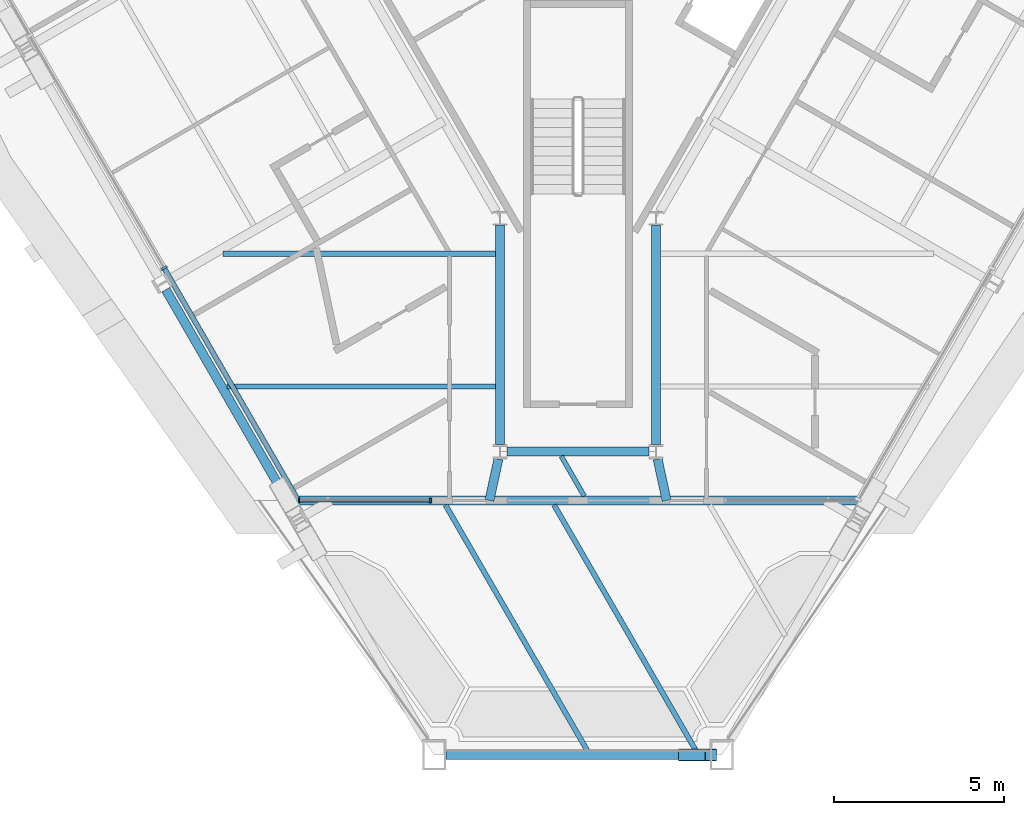
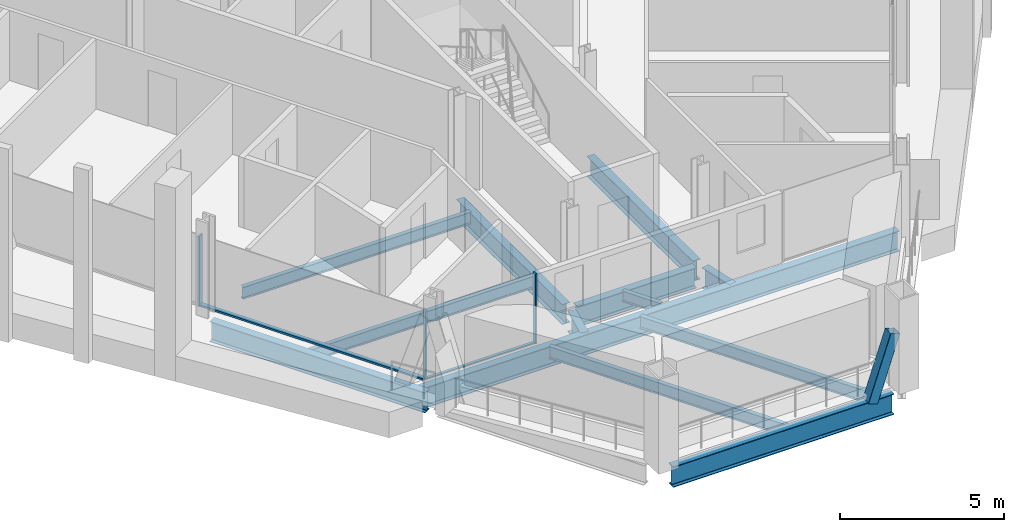
# One storey, part 3 of 16: 13 beams, 6 members, 2 elements without a shape of their own.
"""IFC4 building model written with IfcOpenShell, lengths in metres."""

from ifc_helpers import new_model, si_unit, direction, frame, origin, origin_2d, place, context, subcontext, project, spatial, rectangle, hollow_rectangle, i_section, extrude, material, material_profile, profile_set, type_object, element, aggregate, save


model = new_model("IFC4")

# Units and contexts
model_context = context("Model", 3, precision=1e-05, world=origin(), true_north=direction((0.0, 1.0)))
body_context = subcontext(model_context, "Body", "Model", "MODEL_VIEW")
ifc_project = project(units=[si_unit("LENGTHUNIT", "METRE"), si_unit("AREAUNIT", "SQUARE_METRE"), si_unit("VOLUMEUNIT", "CUBIC_METRE"), si_unit("PLANEANGLEUNIT", "RADIAN"), si_unit("MASSUNIT", "GRAM", prefix="KILO")], contexts=[model_context])

# Site, building, storey
site_placement = place(None, origin())
site = spatial("IfcSite", under=ifc_project, at=site_placement, CompositionType="ELEMENT")
building_placement = place(site_placement, origin())
building = spatial("IfcBuilding", under=site, at=building_placement, Name="Verrane Prism Tower", CompositionType="ELEMENT")
storey_placement = place(building_placement, frame((0.0, 0.0, 114.39990234375)))
storey = spatial("IfcBuildingStorey", under=building, at=storey_placement, Name="L27", CompositionType="ELEMENT", Elevation=114.39990234375)

# Member
ifc_material_1 = material(Name="Steel A500 Grade C", Category="steel")
ifc_material_profile_1 = material_profile(ifc_material_1, hollow_rectangle(XDim=0.355712890625, YDim=0.355712890625, WallThickness=0.0126953125, InnerFilletRadius=0.00634765625, OuterFilletRadius=0.01904296875, at=origin_2d()), Name="HSS14x14x1/2")
ifc_profile_set_1 = profile_set([ifc_material_profile_1], Name="Steel A500 Grade C")
member_type_1 = type_object("IfcMemberType", Name="Chamfer brace HSS14x14x1/2", PredefinedType="BRACE", material=ifc_profile_set_1)
member_1_placement = place(storey_placement, frame((3.12890625, -30.239990234375, -0.2451171875), z_axis=(0.318913640169, 0.0, 0.947783778145), x_axis=(0.0, 1.0, 0.0)))
element("IfcMember", 1, at=member_1_placement, inside=storey, type_object=member_type_1, Name="Chamfer brace S0 L27", PredefinedType="BRACE", context=body_context, shape_type="SweptSolid", body=[
    extrude(hollow_rectangle(XDim=0.355712890625, YDim=0.355712890625, WallThickness=0.0126953125, InnerFilletRadius=0.00634765625, OuterFilletRadius=0.01904296875, at=origin_2d()), origin(), (0.0, 0.0, 1.0), 2.480224609375),
])

# Beams
ifc_material_2 = material(Name="Steel A992", Category="steel")
ifc_material_profile_2 = material_profile(ifc_material_2, i_section(OverallWidth=0.2666015625, OverallDepth=0.76708984375, WebThickness=0.014892578125, FlangeThickness=0.023681640625, FilletRadius=0.0166015625, at=origin_2d()), Name="W30x124")
ifc_profile_set_2 = profile_set([ifc_material_profile_2], Name="Steel A992")
beam_type_1 = type_object("IfcBeamType", Name="Chamfer spandrel beam W30x124", PredefinedType="SPANDREL", material=ifc_profile_set_2)
beam_1_placement = place(storey_placement, frame((-3.889892578125, -30.239990234375, -0.54345703125), z_axis=(1.0, 0.0, 0.0), x_axis=(0.0, 1.0, 0.0)))
element("IfcBeam", 2, at=beam_1_placement, inside=storey, type_object=beam_type_1, Name="Chamfer spandrel beam L27", PredefinedType="SPANDREL", context=body_context, shape_type="SweptSolid", body=[
    extrude(i_section(OverallWidth=0.2666015625, OverallDepth=0.76708984375, WebThickness=0.014892578125, FlangeThickness=0.023681640625, FilletRadius=0.0166015625, at=origin_2d()), origin(), (0.0, 0.0, 1.0), 7.77978515625),
])
ifc_material_3 = material(Name="Steel A992", Category="steel")
ifc_material_profile_3 = material_profile(ifc_material_3, i_section(OverallWidth=0.2666015625, OverallDepth=0.7568359375, WebThickness=0.013916015625, FlangeThickness=0.019287109375, FilletRadius=0.0166015625, at=origin_2d()), Name="W30x108")
ifc_profile_set_3 = profile_set([ifc_material_profile_3], Name="Steel A992")
beam_type_2 = type_object("IfcBeamType", Name="Core ring girder W30x108", PredefinedType="BEAM", material=ifc_profile_set_3)
beam_2_placement = place(storey_placement, frame((-2.300048828125, -14.619384765625, -0.62841796875), z_axis=(0.0, -1.0, 0.0), x_axis=(1.0, 0.0, 0.0)))
element("IfcBeam", 3, at=beam_2_placement, inside=storey, type_object=beam_type_2, Name="Core ring girder L27", PredefinedType="BEAM", context=body_context, shape_type="SweptSolid", body=[
    extrude(i_section(OverallWidth=0.2666015625, OverallDepth=0.7568359375, WebThickness=0.013916015625, FlangeThickness=0.019287109375, FilletRadius=0.0166015625, at=origin_2d()), origin(), (0.0, 0.0, 1.0), 6.46337890625),
])
beam_3_placement = place(storey_placement, frame((-2.09423828125, -21.300048828125, -0.62841796875), z_axis=(1.0, 0.0, 0.0), x_axis=(0.0, 1.0, 0.0)))
element("IfcBeam", 4, at=beam_3_placement, inside=storey, type_object=beam_type_2, Name="Core ring girder L27", PredefinedType="BEAM", context=body_context, shape_type="SweptSolid", body=[
    extrude(i_section(OverallWidth=0.2666015625, OverallDepth=0.7568359375, WebThickness=0.013916015625, FlangeThickness=0.019287109375, FilletRadius=0.0166015625, at=origin_2d()), origin(), (0.0, 0.0, 1.0), 4.1884765625),
])
beam_4_placement = place(storey_placement, frame((2.300048828125, -21.082763671875, -0.62841796875), z_axis=(0.0, 1.0, 0.0), x_axis=(-1.0, 0.0, 0.0)))
element("IfcBeam", 5, at=beam_4_placement, inside=storey, type_object=beam_type_2, Name="Core ring girder L27", PredefinedType="BEAM", context=body_context, shape_type="SweptSolid", body=[
    extrude(i_section(OverallWidth=0.2666015625, OverallDepth=0.7568359375, WebThickness=0.013916015625, FlangeThickness=0.019287109375, FilletRadius=0.0166015625, at=origin_2d()), origin(), (0.0, 0.0, 1.0), 6.46337890625),
])
ifc_material_4 = material(Name="Steel A992", Category="steel")
ifc_material_profile_4 = material_profile(ifc_material_4, i_section(OverallWidth=0.2666015625, OverallDepth=0.76708984375, WebThickness=0.014892578125, FlangeThickness=0.023681640625, FilletRadius=0.0166015625, at=origin_2d()), Name="W30x124")
ifc_profile_set_4 = profile_set([ifc_material_profile_4], Name="Steel A992")
beam_type_3 = type_object("IfcBeamType", Name="Corner girder W30x124", PredefinedType="BEAM", material=ifc_profile_set_4)
for number, where, z_axis, x_axis, name in (
    (6, (-2.612060546875, -22.73779296875, -0.603515625), (0.212064481621, 0.977255675673, 0.0), (-0.977255675673, 0.212064481621, 0.0), "Corner girder L27"),
    (7, (2.612060546875, -22.73779296875, -0.603515625), (-0.212064481621, 0.977255675673, 0.0), (-0.977255675673, -0.212064481621, 0.0), "Corner girder L27"),
):
    element("IfcBeam", number, at=place(storey_placement, frame(where, z_axis=z_axis, x_axis=x_axis)), inside=storey, type_object=beam_type_3, Name=name, PredefinedType="BEAM", context=body_context, shape_type="SweptSolid", body=[
        extrude(i_section(OverallWidth=0.2666015625, OverallDepth=0.76708984375, WebThickness=0.014892578125, FlangeThickness=0.023681640625, FilletRadius=0.0166015625, at=origin_2d()), origin(), (0.0, 0.0, 1.0), 1.2490234375),
    ])
ifc_material_5 = material(Name="Steel A992", Category="steel")
ifc_material_profile_5 = material_profile(ifc_material_5, i_section(OverallWidth=0.140380859375, OverallDepth=0.40380859375, WebThickness=0.007080078125, FlangeThickness=0.01123046875, FilletRadius=0.01025390625, at=origin_2d()), Name="W16x31")
ifc_profile_set_5 = profile_set([ifc_material_profile_5], Name="Steel A992")
beam_type_4 = type_object("IfcBeamType", Name="Floor beam W16x31", PredefinedType="BEAM", material=ifc_profile_set_5)
beam_5_placement = place(storey_placement, frame((0.18359375, -22.6064453125, -0.36181640625), z_axis=(-0.500055336774, 0.865993452726, 0.0), x_axis=(-0.865993452726, -0.500055336774, 0.0)))
element("IfcBeam", 8, at=beam_5_placement, inside=storey, type_object=beam_type_4, Name="Floor beam L27", PredefinedType="BEAM", context=body_context, shape_type="SweptSolid", body=[
    extrude(i_section(OverallWidth=0.140380859375, OverallDepth=0.40380859375, WebThickness=0.007080078125, FlangeThickness=0.01123046875, FilletRadius=0.01025390625, at=origin_2d()), origin(), (0.0, 0.0, 1.0), 1.354248046875),
])
ifc_material_6 = material(Name="Steel A992", Category="steel")
ifc_material_profile_6 = material_profile(ifc_material_6, i_section(OverallWidth=0.15234375, OverallDepth=0.449462890625, WebThickness=0.007568359375, FlangeThickness=0.0107421875, FilletRadius=0.01025390625, at=origin_2d()), Name="W18x35")
ifc_profile_set_6 = profile_set([ifc_material_profile_6], Name="Steel A992")
beam_type_5 = type_object("IfcBeamType", Name="Floor beam W18x35", PredefinedType="BEAM", material=ifc_profile_set_6)
beam_6_placement = place(storey_placement, frame((-10.353759765625, -19.376708984375, -0.384765625), z_axis=(1.0, 0.0, 0.0), x_axis=(0.0, 1.0, 0.0)))
element("IfcBeam", 9, at=beam_6_placement, inside=storey, type_object=beam_type_5, Name="Floor beam L27", PredefinedType="BEAM", context=body_context, shape_type="SweptSolid", body=[
    extrude(i_section(OverallWidth=0.15234375, OverallDepth=0.449462890625, WebThickness=0.007568359375, FlangeThickness=0.0107421875, FilletRadius=0.01025390625, at=origin_2d()), origin(), (0.0, 0.0, 1.0), 7.920166015625),
])
beam_7_placement = place(storey_placement, frame((-10.473876953125, -15.46337890625, -0.384765625), z_axis=(1.0, 0.0, 0.0), x_axis=(0.0, 1.0, 0.0)))
element("IfcBeam", 10, at=beam_7_placement, inside=storey, type_object=beam_type_5, Name="Floor beam L27", PredefinedType="BEAM", context=body_context, shape_type="SweptSolid", body=[
    extrude(i_section(OverallWidth=0.15234375, OverallDepth=0.449462890625, WebThickness=0.007568359375, FlangeThickness=0.0107421875, FilletRadius=0.01025390625, at=origin_2d()), origin(), (0.0, 0.0, 1.0), 8.040283203125),
])
for number, where, z_axis, x_axis, name in (
    (11, (3.472412109375, -30.1064453125, -0.384765625), (-0.500009228255, 0.866020075783, 0.0), (-0.866020075783, -0.500009228255, 0.0), "Floor beam L27"),
    (12, (0.2705078125, -30.1064453125, -0.384765625), (-0.500009228255, 0.866020075783, 0.0), (-0.866020075783, -0.500009228255, 0.0), "Floor beam L27"),
):
    element("IfcBeam", number, at=place(storey_placement, frame(where, z_axis=z_axis, x_axis=x_axis)), inside=storey, type_object=beam_type_5, Name=name, PredefinedType="BEAM", context=body_context, shape_type="SweptSolid", body=[
        extrude(i_section(OverallWidth=0.15234375, OverallDepth=0.449462890625, WebThickness=0.007568359375, FlangeThickness=0.0107421875, FilletRadius=0.01025390625, at=origin_2d()), origin(), (0.0, 0.0, 1.0), 8.351806640625),
    ])

# Curtain wall, members
ifc_material_7 = material(Name="Aluminium framed insulated glazing", Category="aluminium")
curtain_wall_type_1 = type_object("IfcCurtainWallType", Name="Curtain wall CW-C 4200 module", PredefinedType="NOTDEFINED", material=ifc_material_7)
curtain_wall_1_placement = place(storey_placement, origin())
curtain_wall_1 = element("IfcCurtainWall", 13, at=curtain_wall_1_placement, inside=storey, type_object=curtain_wall_type_1, Name="Glazed curtain wall garden cut line L27 1", PredefinedType="NOTDEFINED")
ifc_material_8 = material(Name="Aluminium alloy 6063-T6", Category="aluminium")
ifc_material_profile_7 = material_profile(ifc_material_8, rectangle(XDim=0.139892578125, YDim=0.050048828125, at=origin_2d()), Name="Mullion 50x140 aluminium")
ifc_profile_set_7 = profile_set([ifc_material_profile_7], Name="Aluminium alloy 6063-T6")
member_type_2 = type_object("IfcMemberType", Name="Mullion 50x140 aluminium", PredefinedType="MULLION", material=ifc_profile_set_7)
member_2_placement = place(storey_placement, frame((-8.221923828125, -22.73779296875, 0.0), z_axis=(0.0, 0.0, 1.0), x_axis=(0.0, 1.0, 0.0)))
member_2 = element("IfcMember", 14, at=member_2_placement, type_object=member_type_2, Name="CW27.5.1 mullion 1", PredefinedType="MULLION", context=body_context, shape_type="SweptSolid", body=[
    extrude(rectangle(XDim=0.139892578125, YDim=0.050048828125, at=origin_2d()), origin(), (0.0, 0.0, 1.0), 2.613037109375),
])
member_3_placement = place(storey_placement, frame((-4.35498046875, -22.73779296875, 0.0), z_axis=(0.0, 0.0, 1.0), x_axis=(0.0, 1.0, 0.0)))
member_3 = element("IfcMember", 15, at=member_3_placement, type_object=member_type_2, Name="CW27.5.1 mullion 2", PredefinedType="MULLION", context=body_context, shape_type="SweptSolid", body=[
    extrude(rectangle(XDim=0.139892578125, YDim=0.050048828125, at=origin_2d()), origin(), (0.0, 0.0, 1.0), 2.613037109375),
])

# Curtain wall, member
ifc_material_9 = material(Name="Aluminium framed insulated glazing", Category="aluminium")
curtain_wall_type_2 = type_object("IfcCurtainWallType", Name="Curtain wall CW-A 8400 module", PredefinedType="NOTDEFINED", material=ifc_material_9)
curtain_wall_2_placement = place(storey_placement, origin())
curtain_wall_2 = element("IfcCurtainWall", 16, at=curtain_wall_2_placement, inside=storey, type_object=curtain_wall_type_2, Name="Glazed curtain wall south-west face L27", PredefinedType="NOTDEFINED")
ifc_material_10 = material(Name="Aluminium alloy 6063-T6", Category="aluminium")
ifc_material_profile_8 = material_profile(ifc_material_10, rectangle(XDim=0.199951171875, YDim=0.070068359375, at=origin_2d()), Name="Mullion 70x200 aluminium")
ifc_profile_set_8 = profile_set([ifc_material_profile_8], Name="Aluminium alloy 6063-T6")
member_type_3 = type_object("IfcMemberType", Name="Mullion 70x200 aluminium", PredefinedType="MULLION", material=ifc_profile_set_8)
member_4_placement = place(storey_placement, frame((-12.203125, -15.885498046875, 0.0), z_axis=(0.0, 0.0, 1.0), x_axis=(0.866026054504, 0.49999887292, 0.0)))
member_4 = element("IfcMember", 17, at=member_4_placement, type_object=member_type_3, Name="CW27.4 mullion 5", PredefinedType="MULLION", context=body_context, shape_type="SweptSolid", body=[
    extrude(rectangle(XDim=0.199951171875, YDim=0.070068359375, at=origin_2d()), origin(), (0.0, 0.0, 1.0), 2.613037109375),
])

# Beams
ifc_material_11 = material(Name="Steel A992", Category="steel")
ifc_material_profile_9 = material_profile(ifc_material_11, i_section(OverallWidth=0.2666015625, OverallDepth=0.7568359375, WebThickness=0.013916015625, FlangeThickness=0.019287109375, FilletRadius=0.0166015625, at=origin_2d()), Name="W30x108")
ifc_profile_set_9 = profile_set([ifc_material_profile_9], Name="Steel A992")
beam_type_6 = type_object("IfcBeamType", Name="Slab edge girder W30x108", PredefinedType="BEAM", material=ifc_profile_set_9)
beam_8_placement = place(storey_placement, frame((8.4150390625, -22.73779296875, -0.598388671875), z_axis=(-1.0, 0.0, 0.0), x_axis=(0.0, -1.0, 0.0)))
element("IfcBeam", 18, at=beam_8_placement, inside=storey, type_object=beam_type_6, Name="Slab edge girder L27", PredefinedType="BEAM", context=body_context, shape_type="SweptSolid", body=[
    extrude(i_section(OverallWidth=0.2666015625, OverallDepth=0.7568359375, WebThickness=0.013916015625, FlangeThickness=0.019287109375, FilletRadius=0.0166015625, at=origin_2d()), origin(), (0.0, 0.0, 1.0), 16.830078125),
])
ifc_material_12 = material(Name="Steel A992", Category="steel")
ifc_material_profile_10 = material_profile(ifc_material_12, i_section(OverallWidth=0.2666015625, OverallDepth=0.7568359375, WebThickness=0.013916015625, FlangeThickness=0.019287109375, FilletRadius=0.0166015625, at=origin_2d()), Name="W30x108")
ifc_profile_set_10 = profile_set([ifc_material_profile_10], Name="Steel A992")
beam_type_7 = type_object("IfcBeamType", Name="Spandrel beam W30x108", PredefinedType="SPANDREL", material=ifc_profile_set_10)
beam_9_placement = place(storey_placement, frame((-12.154052734375, -16.523681640625, -0.538330078125), z_axis=(0.499770658239, -0.866157773828, 0.0), x_axis=(0.866157773828, 0.499770658239, 0.0)))
element("IfcBeam", 19, at=beam_9_placement, inside=storey, type_object=beam_type_7, Name="Spandrel beam L27", PredefinedType="SPANDREL", context=body_context, shape_type="SweptSolid", body=[
    extrude(i_section(OverallWidth=0.2666015625, OverallDepth=0.7568359375, WebThickness=0.013916015625, FlangeThickness=0.019287109375, FilletRadius=0.0166015625, at=origin_2d()), origin(), (0.0, 0.0, 1.0), 7.599609375),
])

# Member
ifc_material_13 = material(Name="Aluminium alloy 6063-T6", Category="aluminium")
ifc_material_profile_11 = material_profile(ifc_material_13, rectangle(XDim=0.10009765625, YDim=0.050048828125, at=origin_2d()), Name="Transom 50x100 aluminium")
ifc_profile_set_11 = profile_set([ifc_material_profile_11], Name="Aluminium alloy 6063-T6")
member_type_4 = type_object("IfcMemberType", Name="Transom 50x100 aluminium", PredefinedType="USERDEFINED", material=ifc_profile_set_11)
member_5_placement = place(storey_placement, frame((-8.197021484375, -22.73779296875, 0.025146484375), z_axis=(1.0, 0.0, 0.0), x_axis=(0.0, 1.0, 0.0)))
member_5 = element("IfcMember", 20, at=member_5_placement, type_object=member_type_4, Name="CW27.5.1 transom 1", ObjectType="TRANSOM", PredefinedType="USERDEFINED", context=body_context, shape_type="SweptSolid", body=[
    extrude(rectangle(XDim=0.10009765625, YDim=0.050048828125, at=origin_2d()), origin(), (0.0, 0.0, 1.0), 3.817138671875),
])

aggregate(curtain_wall_1, [member_2, member_3, member_5])

ifc_material_14 = material(Name="Aluminium alloy 6063-T6", Category="aluminium")
ifc_material_profile_12 = material_profile(ifc_material_14, rectangle(XDim=0.14990234375, YDim=0.070068359375, at=origin_2d()), Name="Transom 70x150 aluminium")
ifc_profile_set_12 = profile_set([ifc_material_profile_12], Name="Aluminium alloy 6063-T6")
member_type_5 = type_object("IfcMemberType", Name="Transom 70x150 aluminium", PredefinedType="USERDEFINED", material=ifc_profile_set_12)
member_6_placement = place(storey_placement, frame((-12.185791015625, -15.915771484375, 0.03515625), z_axis=(0.500002357631, -0.866024042601, 0.0), x_axis=(0.866024042601, 0.500002357631, 0.0)))
member_6 = element("IfcMember", 21, at=member_6_placement, type_object=member_type_5, Name="CW27.4 transom 5", ObjectType="TRANSOM", PredefinedType="USERDEFINED", context=body_context, shape_type="SweptSolid", body=[
    extrude(rectangle(XDim=0.14990234375, YDim=0.070068359375, at=origin_2d()), origin(), (0.0, 0.0, 1.0), 7.87744140625),
])

aggregate(curtain_wall_2, [member_4, member_6])

save(model, "model.ifc")
